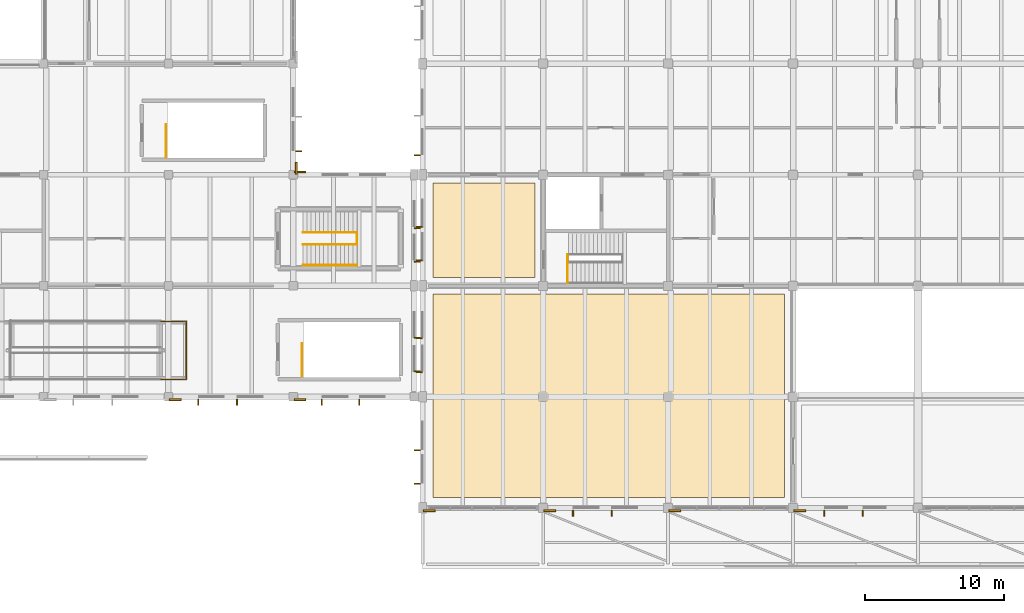
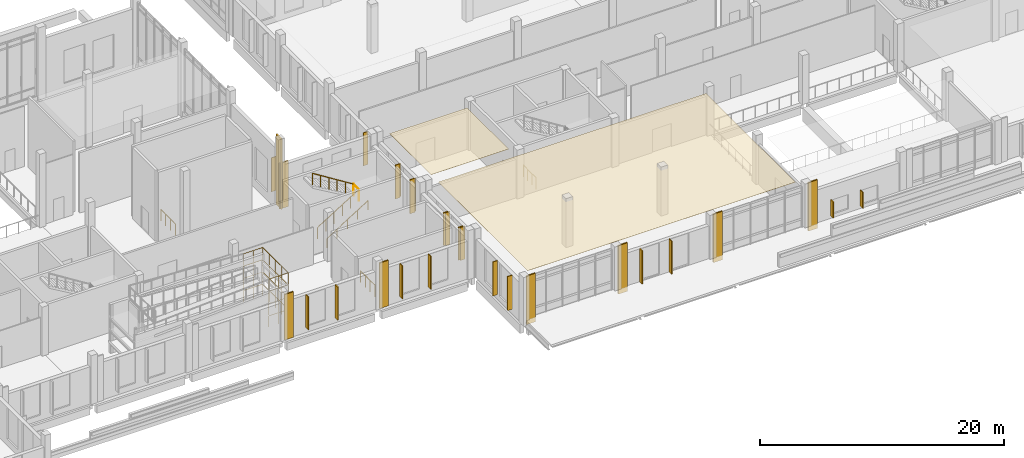
# One storey, part 102 of 110: 20 shading devices, 11 railings, 10 coverings.
"""IFC4 building model written with IfcOpenShell, lengths in metres."""

from ifc_helpers import new_model, si_unit, direction, frame, origin, origin_2d, place, context, subcontext, project, spatial, polyline, rectangle, circle, outline, extrude, material, layer, layer_set, type_object, element, save


model = new_model("IFC4")

# Units and contexts
model_context = context("Model", 3, precision=1e-05, world=origin(), true_north=direction((0.0, 1.0)))
body_context = subcontext(model_context, "Body", "Model", "MODEL_VIEW")
ifc_project = project(units=[si_unit("LENGTHUNIT", "METRE"), si_unit("AREAUNIT", "SQUARE_METRE"), si_unit("VOLUMEUNIT", "CUBIC_METRE"), si_unit("PLANEANGLEUNIT", "RADIAN"), si_unit("MASSUNIT", "GRAM", prefix="KILO")], contexts=[model_context])

# Site, building, storey
site_placement = place(None, origin())
site = spatial("IfcSite", under=ifc_project, at=site_placement, CompositionType="ELEMENT")
building_placement = place(site_placement, origin())
building = spatial("IfcBuilding", under=site, at=building_placement, Name="Zacnel Wholesale Market", CompositionType="ELEMENT")
storey_placement = place(building_placement, frame((0.0, 0.0, 6.300048828125)))
storey = spatial("IfcBuildingStorey", under=building, at=storey_placement, Name="L02", CompositionType="ELEMENT", Elevation=6.300048828125)

# Coverings
ifc_material_1 = material(Name="Micro-perforated acoustic gypsum ceiling")
ifc_layer_1 = layer(ifc_material_1, 0.02001953125)
ifc_layer_set_1 = layer_set([ifc_layer_1], Name="Micro-perforated acoustic gypsum ceiling")
covering_type_1 = type_object("IfcCoveringType", Name="COV-CEIL-AC-20", PredefinedType="CEILING", material=ifc_layer_set_1)
covering_1_placement = place(storey_placement, frame((0.0, 0.0, 4.5400390625)))
element("IfcCovering", 1, at=covering_1_placement, inside=storey, type_object=covering_type_1, Name="Acoustic ceiling L02-502", PredefinedType="CEILING", context=body_context, shape_type="SweptSolid", body=[
    extrude(outline(polyline([(145.050048828125, 0.75), (170.39990234375, 0.75), (170.39990234375, 15.39990234375), (145.050048828125, 15.39990234375), (145.050048828125, 0.75)])), origin(), (0.0, 0.0, 1.0), 0.02001953125),
])
covering_2_placement = place(storey_placement, frame((0.0, 0.0, 4.5400390625)))
element("IfcCovering", 2, at=covering_2_placement, inside=storey, type_object=covering_type_1, Name="Acoustic ceiling L02-506", PredefinedType="CEILING", context=body_context, shape_type="SweptSolid", body=[
    extrude(outline(polyline([(145.050048828125, 16.60009765625), (152.39990234375, 16.60009765625), (152.39990234375, 23.39990234375), (145.050048828125, 23.39990234375), (145.050048828125, 16.60009765625)])), origin(), (0.0, 0.0, 1.0), 0.02001953125),
])
ifc_material_2 = material(Name="Honed Yucatan Maya cream limestone", Category="masonry")
ifc_layer_2 = layer(ifc_material_2, 0.090087890625)
ifc_layer_set_2 = layer_set([ifc_layer_2], Name="Honed Yucatan Maya cream limestone")
covering_type_2 = type_object("IfcCoveringType", Name="COV-CLAD-FRET", PredefinedType="CLADDING", material=ifc_layer_set_2)
for number, where, z_axis, x_axis, name in (
    (3, (126.47998046875, 7.7900390625, 0.02001953125), (0.0, 0.0, 1.0), (1.0, 0.0, 0.0), "Fluted Mayan-Deco limestone pilaster L02-0117"),
    (4, (135.47998046875, 7.7900390625, 0.02001953125), (0.0, 0.0, 1.0), (1.0, 0.0, 0.0), "Fluted Mayan-Deco limestone pilaster L02-0118"),
    (5, (135.47998046875, 24.2099609375, 0.02001953125), (0.0, 0.0, 1.0), (1.0, 0.0, 0.0), "Fluted Mayan-Deco limestone pilaster L02-0119"),
):
    element("IfcCovering", number, at=place(storey_placement, frame(where, z_axis=z_axis, x_axis=x_axis)), inside=storey, type_object=covering_type_2, Name=name, PredefinedType="CLADDING", context=body_context, shape_type="SweptSolid", body=[
        extrude(rectangle(XDim=0.85009765625, YDim=0.1201171875, at=origin_2d()), origin(), (0.0, 0.0, 1.0), 4.56005859375),
    ])
covering_3_placement = place(storey_placement, frame((135.2099609375, 24.47998046875, 0.02001953125), z_axis=(0.0, 0.0, 1.0), x_axis=(0.0, 1.0, 0.0)))
element("IfcCovering", 6, at=covering_3_placement, inside=storey, type_object=covering_type_2, Name="Fluted Mayan-Deco limestone pilaster L02-0123", PredefinedType="CLADDING", context=body_context, shape_type="SweptSolid", body=[
    extrude(rectangle(XDim=0.85009765625, YDim=0.1201171875, at=origin_2d()), origin(), (0.0, 0.0, 1.0), 7.050048828125),
])
for number, where, z_axis, x_axis, name in (
    (7, (144.780029296875, -0.2099609375, 0.02001953125), (0.0, 0.0, 1.0), (1.0, 0.0, 0.0), "Fluted Mayan-Deco limestone pilaster L02-0126"),
    (8, (153.47998046875, -0.2099609375, 0.02001953125), (0.0, 0.0, 1.0), (1.0, 0.0, 0.0), "Fluted Mayan-Deco limestone pilaster L02-0127"),
    (9, (162.47998046875, -0.2099609375, 0.02001953125), (0.0, 0.0, 1.0), (1.0, 0.0, 0.0), "Fluted Mayan-Deco limestone pilaster L02-0128"),
    (10, (171.47998046875, -0.2099609375, 0.02001953125), (0.0, 0.0, 1.0), (1.0, 0.0, 0.0), "Fluted Mayan-Deco limestone pilaster L02-0129"),
):
    element("IfcCovering", number, at=place(storey_placement, frame(where, z_axis=z_axis, x_axis=x_axis)), inside=storey, type_object=covering_type_2, Name=name, PredefinedType="CLADDING", context=body_context, shape_type="SweptSolid", body=[
        extrude(rectangle(XDim=0.85009765625, YDim=0.1201171875, at=origin_2d()), origin(), (0.0, 0.0, 1.0), 4.860107421875),
    ])

# Railings
ifc_material_3 = material(Name="Galvanized steel", Category="steel")
railing_type_1 = type_object("IfcRailingType", Name="RAL-HANDRAIL-920", PredefinedType="HANDRAIL", material=ifc_material_3)
railing_1_placement = place(storey_placement, frame((135.679931640625, 17.47998046875, 0.0)))
element("IfcRailing", 11, at=railing_1_placement, inside=storey, type_object=railing_type_1, Name="Stair ST-25 wall handrail", PredefinedType="HANDRAIL", context=body_context, shape_type="SweptSolid", body=[
    extrude(circle(Radius=0.02099609375, at=origin_2d()), frame((0.0, 0.0, 0.89892578125), z_axis=(0.846790045661, 0.0, 0.53192726812), x_axis=(0.0, 1.0, 0.0)), (0.0, 0.0, 1.0), 4.605712890625),
    extrude(circle(Radius=0.01806640625, at=origin_2d()), origin(), (0.0, 0.0, 1.0), 0.8779296875),
    extrude(circle(Radius=0.01806640625, at=origin_2d()), frame((0.97509765625, 0.0, 0.612548828125)), (0.0, 0.0, 1.0), 0.8779296875),
    extrude(circle(Radius=0.01806640625, at=origin_2d()), frame((1.9501953125, 0.0, 1.22509765625)), (0.0, 0.0, 1.0), 0.8779296875),
    extrude(circle(Radius=0.01806640625, at=origin_2d()), frame((2.925048828125, 0.0, 1.83740234375)), (0.0, 0.0, 1.0), 0.8779296875),
    extrude(circle(Radius=0.01806640625, at=origin_2d()), frame((3.900146484375, 0.0, 2.449951171875)), (0.0, 0.0, 1.0), 0.8779296875),
])
ifc_material_4 = material(Name="Galvanized steel", Category="steel")
railing_type_2 = type_object("IfcRailingType", Name="RAL-STAIR-GD1150", PredefinedType="BALUSTRADE", material=ifc_material_4)
railing_2_placement = place(storey_placement, frame((154.75, 16.18994140625, 0.0)))
element("IfcRailing", 12, at=railing_2_placement, inside=storey, type_object=railing_type_2, Name="Stair balustrade INT-STAIR-ST-01-GDWELL-1", PredefinedType="BALUSTRADE", context=body_context, shape_type="SweptSolid", body=[
    extrude(circle(Radius=0.02392578125, at=origin_2d()), frame((0.0, 0.0, 1.1259765625), z_axis=(0.0, 1.0, 0.0), x_axis=(-1.0, 0.0, 0.0)), (0.0, 0.0, 1.0), 2.06005859375),
    extrude(circle(Radius=0.02099609375, at=origin_2d()), origin(), (0.0, 0.0, 1.0), 1.101806640625),
    extrude(circle(Radius=0.02099609375, at=origin_2d()), frame((0.0, 0.686767578125, 0.0)), (0.0, 0.0, 1.0), 1.101806640625),
    extrude(circle(Radius=0.02099609375, at=origin_2d()), frame((0.0, 1.373291015625, 0.0)), (0.0, 0.0, 1.0), 1.101806640625),
    extrude(circle(Radius=0.02099609375, at=origin_2d()), frame((0.0, 2.06005859375, 0.0)), (0.0, 0.0, 1.0), 1.101806640625),
])
railing_3_placement = place(storey_placement, frame((125.820068359375, 25.260009765625, 0.0)))
element("IfcRailing", 13, at=railing_3_placement, inside=storey, type_object=railing_type_2, Name="Stair balustrade INT-STAIR-ST-19-GDWELL-1", PredefinedType="BALUSTRADE", context=body_context, shape_type="SweptSolid", body=[
    extrude(circle(Radius=0.02392578125, at=origin_2d()), frame((0.0, 0.0, 1.1259765625), z_axis=(0.0, 1.0, 0.0), x_axis=(-1.0, 0.0, 0.0)), (0.0, 0.0, 1.0), 2.369873046875),
    extrude(circle(Radius=0.02099609375, at=origin_2d()), origin(), (0.0, 0.0, 1.0), 1.101806640625),
    extrude(circle(Radius=0.02099609375, at=origin_2d()), frame((0.0, 0.7900390625, 0.0)), (0.0, 0.0, 1.0), 1.101806640625),
    extrude(circle(Radius=0.02099609375, at=origin_2d()), frame((0.0, 1.579833984375, 0.0)), (0.0, 0.0, 1.0), 1.101806640625),
    extrude(circle(Radius=0.02099609375, at=origin_2d()), frame((0.0, 2.369873046875, 0.0)), (0.0, 0.0, 1.0), 1.101806640625),
])
railing_4_placement = place(storey_placement, frame((135.6201171875, 9.4599609375, 0.0)))
element("IfcRailing", 14, at=railing_4_placement, inside=storey, type_object=railing_type_2, Name="Stair balustrade INT-STAIR-ST-24-GDWELL-1", PredefinedType="BALUSTRADE", context=body_context, shape_type="SweptSolid", body=[
    extrude(circle(Radius=0.02392578125, at=origin_2d()), frame((0.0, 0.0, 1.1259765625), z_axis=(0.0, 1.0, 0.0), x_axis=(-1.0, 0.0, 0.0)), (0.0, 0.0, 1.0), 2.3701171875),
    extrude(circle(Radius=0.02099609375, at=origin_2d()), origin(), (0.0, 0.0, 1.0), 1.101806640625),
    extrude(circle(Radius=0.02099609375, at=origin_2d()), frame((0.0, 0.7900390625, 0.0)), (0.0, 0.0, 1.0), 1.101806640625),
    extrude(circle(Radius=0.02099609375, at=origin_2d()), frame((0.0, 1.580078125, 0.0)), (0.0, 0.0, 1.0), 1.101806640625),
    extrude(circle(Radius=0.02099609375, at=origin_2d()), frame((0.0, 2.3701171875, 0.0)), (0.0, 0.0, 1.0), 1.101806640625),
])
railing_5_placement = place(storey_placement, frame((135.679931640625, 18.969970703125, 0.0)))
element("IfcRailing", 15, at=railing_5_placement, inside=storey, type_object=railing_type_2, Name="Stair balustrade INT-STAIR-ST-25-GDIN-1", PredefinedType="BALUSTRADE", context=body_context, shape_type="SweptSolid", body=[
    extrude(circle(Radius=0.02392578125, at=origin_2d()), frame((0.0, 0.0, 1.1259765625), z_axis=(0.846790045661, 0.0, 0.53192726812), x_axis=(0.0, 1.0, 0.0)), (0.0, 0.0, 1.0), 4.605712890625),
    extrude(circle(Radius=0.02099609375, at=origin_2d()), origin(), (0.0, 0.0, 1.0), 1.101806640625),
    extrude(circle(Radius=0.02099609375, at=origin_2d()), frame((0.780029296875, 0.0, 0.489990234375)), (0.0, 0.0, 1.0), 1.101806640625),
    extrude(circle(Radius=0.02099609375, at=origin_2d()), frame((1.56005859375, 0.0, 0.97998046875)), (0.0, 0.0, 1.0), 1.101806640625),
    extrude(circle(Radius=0.02099609375, at=origin_2d()), frame((2.340087890625, 0.0, 1.469970703125)), (0.0, 0.0, 1.0), 1.101806640625),
    extrude(circle(Radius=0.02099609375, at=origin_2d()), frame((3.1201171875, 0.0, 1.9599609375)), (0.0, 0.0, 1.0), 1.101806640625),
    extrude(circle(Radius=0.02099609375, at=origin_2d()), frame((3.900146484375, 0.0, 2.449951171875)), (0.0, 0.0, 1.0), 1.101806640625),
])
railing_6_placement = place(storey_placement, frame((139.580078125, 18.969970703125, 2.449951171875)))
element("IfcRailing", 16, at=railing_6_placement, inside=storey, type_object=railing_type_2, Name="Stair balustrade INT-STAIR-ST-25-GDIN-2", PredefinedType="BALUSTRADE", context=body_context, shape_type="SweptSolid", body=[
    extrude(circle(Radius=0.02392578125, at=origin_2d()), frame((0.0, 0.0, 1.1259765625), z_axis=(0.0, 1.0, 0.0), x_axis=(-1.0, 0.0, 0.0)), (0.0, 0.0, 1.0), 0.860107421875),
    extrude(circle(Radius=0.02099609375, at=origin_2d()), origin(), (0.0, 0.0, 1.0), 1.101806640625),
    extrude(circle(Radius=0.02099609375, at=origin_2d()), frame((0.0, 0.860107421875, 0.0)), (0.0, 0.0, 1.0), 1.101806640625),
])
railing_7_placement = place(storey_placement, frame((139.580078125, 19.830078125, 2.449951171875)))
element("IfcRailing", 17, at=railing_7_placement, inside=storey, type_object=railing_type_2, Name="Stair balustrade INT-STAIR-ST-25-GDIN-3", PredefinedType="BALUSTRADE", context=body_context, shape_type="SweptSolid", body=[
    extrude(circle(Radius=0.02392578125, at=origin_2d()), frame((0.0, 0.0, 1.1259765625), z_axis=(-0.846790045661, 0.0, 0.53192726812), x_axis=(0.0, -1.0, 0.0)), (0.0, 0.0, 1.0), 4.605712890625),
    extrude(circle(Radius=0.02099609375, at=origin_2d()), origin(), (0.0, 0.0, 1.0), 1.101806640625),
    extrude(circle(Radius=0.02099609375, at=origin_2d()), frame((-0.780029296875, 0.0, 0.489990234375)), (0.0, 0.0, 1.0), 1.101806640625),
    extrude(circle(Radius=0.02099609375, at=origin_2d()), frame((-1.56005859375, 0.0, 0.97998046875)), (0.0, 0.0, 1.0), 1.101806640625),
    extrude(circle(Radius=0.02099609375, at=origin_2d()), frame((-2.340087890625, 0.0, 1.469970703125)), (0.0, 0.0, 1.0), 1.101806640625),
    extrude(circle(Radius=0.02099609375, at=origin_2d()), frame((-3.1201171875, 0.0, 1.9599609375)), (0.0, 0.0, 1.0), 1.101806640625),
    extrude(circle(Radius=0.02099609375, at=origin_2d()), frame((-3.900146484375, 0.0, 2.449951171875)), (0.0, 0.0, 1.0), 1.101806640625),
])
for number, where, name in (
    (18, (125.450927734375, 9.260009765625, 0.612548828125), "Accessible ramp RP-04 (RMP-PROM-2) landing balustrade 1"),
    (19, (125.450927734375, 9.260009765625, 1.83740234375), "Accessible ramp RP-04 (RMP-PROM-2) landing balustrade 3"),
    (20, (125.450927734375, 9.260009765625, 3.0625), "Accessible ramp RP-04 (RMP-PROM-2) landing balustrade 5"),
    (21, (125.450927734375, 9.260009765625, 4.287353515625), "Accessible ramp RP-04 (RMP-PROM-2) landing balustrade 7"),
):
    element("IfcRailing", number, at=place(storey_placement, frame(where)), inside=storey, type_object=railing_type_2, Name=name, PredefinedType="BALUSTRADE", context=body_context, shape_type="SweptSolid", body=[
        extrude(circle(Radius=0.0224609375, at=origin_2d()), frame((0.0, 0.0, 1.12744140625), z_axis=(1.0, 0.0, 0.0), x_axis=(0.0, 1.0, 0.0)), (0.0, 0.0, 1.0), 1.830078125),
        extrude(circle(Radius=0.0224609375, at=origin_2d()), frame((1.830078125, 0.0, 1.12744140625), z_axis=(0.0, 1.0, 0.0), x_axis=(-1.0, 0.0, 0.0)), (0.0, 0.0, 1.0), 4.179931640625),
        extrude(circle(Radius=0.0224609375, at=origin_2d()), frame((1.830078125, 4.179931640625, 1.12744140625), z_axis=(-1.0, 0.0, 0.0), x_axis=(0.0, -1.0, 0.0)), (0.0, 0.0, 1.0), 1.830078125),
        extrude(circle(Radius=0.02001953125, at=origin_2d()), origin(), (0.0, 0.0, 1.0), 1.10498046875),
        extrude(circle(Radius=0.02001953125, at=origin_2d()), frame((0.9150390625, 0.0, 0.0)), (0.0, 0.0, 1.0), 1.10498046875),
        extrude(circle(Radius=0.02001953125, at=origin_2d()), frame((1.830078125, 0.0, 0.0)), (0.0, 0.0, 1.0), 1.10498046875),
        extrude(circle(Radius=0.02001953125, at=origin_2d()), frame((1.830078125, 1.044921875, 0.0)), (0.0, 0.0, 1.0), 1.10498046875),
        extrude(circle(Radius=0.02001953125, at=origin_2d()), frame((1.830078125, 2.08984375, 0.0)), (0.0, 0.0, 1.0), 1.10498046875),
        extrude(circle(Radius=0.02001953125, at=origin_2d()), frame((1.830078125, 3.135009765625, 0.0)), (0.0, 0.0, 1.0), 1.10498046875),
        extrude(circle(Radius=0.02001953125, at=origin_2d()), frame((1.830078125, 4.179931640625, 0.0)), (0.0, 0.0, 1.0), 1.10498046875),
        extrude(circle(Radius=0.02001953125, at=origin_2d()), frame((0.9150390625, 4.179931640625, 0.0)), (0.0, 0.0, 1.0), 1.10498046875),
        extrude(circle(Radius=0.02001953125, at=origin_2d()), frame((0.0, 4.179931640625, 0.0)), (0.0, 0.0, 1.0), 1.10498046875),
    ])

# Shading devices
ifc_material_5 = material(Name="Honed Yucatan Maya cream limestone", Category="masonry")
shading_device_type = type_object("IfcShadingDeviceType", Name="SHD-FIN-V450", PredefinedType="USERDEFINED", material=ifc_material_5)
for number, where, z_axis, x_axis, name in (
    (22, (128.139892578125, 7.6201171875, 0.51513671875), (0.0, 0.0, 1.0), (1.0, 0.0, 0.0), "Limestone sunshade fin 0141"),
    (23, (130.93994140625, 7.6201171875, 0.51513671875), (0.0, 0.0, 1.0), (1.0, 0.0, 0.0), "Limestone sunshade fin 0142"),
    (24, (137.0400390625, 7.6201171875, 0.51513671875), (0.0, 0.0, 1.0), (1.0, 0.0, 0.0), "Limestone sunshade fin 0143"),
    (25, (139.739990234375, 7.6201171875, 0.51513671875), (0.0, 0.0, 1.0), (1.0, 0.0, 0.0), "Limestone sunshade fin 0144"),
    (26, (144.080078125, 9.781982421875, 0.53515625), (0.0, 0.0, 1.0), (0.0, 1.0, 0.0), "Limestone sunshade fin 0145"),
    (27, (144.080078125, 12.222900390625, 0.53515625), (0.0, 0.0, 1.0), (0.0, 1.0, 0.0), "Limestone sunshade fin 0146"),
    (28, (144.080078125, 17.83203125, 0.46484375), (0.0, 0.0, 1.0), (0.0, 1.0, 0.0), "Limestone sunshade fin 0147"),
    (29, (144.080078125, 20.248046875, 0.46484375), (0.0, 0.0, 1.0), (0.0, 1.0, 0.0), "Limestone sunshade fin 0148"),
):
    element("IfcShadingDevice", number, at=place(storey_placement, frame(where, z_axis=z_axis, x_axis=x_axis)), inside=storey, type_object=shading_device_type, Name=name, ObjectType="SUNSHADE", PredefinedType="USERDEFINED", context=body_context, shape_type="SweptSolid", body=[
        extrude(rectangle(XDim=0.080078125, YDim=0.43994140625, at=origin_2d()), origin(), (0.0, 0.0, 1.0), 3.300048828125),
    ])
shading_device_1_placement = place(storey_placement, frame((135.3798828125, 25.70703125, 0.800048828125), z_axis=(0.0, 0.0, 1.0), x_axis=(0.0, 1.0, 0.0)))
element("IfcShadingDevice", 30, at=shading_device_1_placement, inside=storey, type_object=shading_device_type, Name="Limestone sunshade fin 0153", ObjectType="SUNSHADE", PredefinedType="USERDEFINED", context=body_context, shape_type="SweptSolid", body=[
    extrude(rectangle(XDim=0.080078125, YDim=0.43994140625, at=origin_2d()), origin(), (0.0, 0.0, 1.0), 3.39990234375),
])
for number, where, z_axis, x_axis, name in (
    (31, (155.14794921875, -0.3798828125, 0.51513671875), (0.0, 0.0, 1.0), (1.0, 0.0, 0.0), "Limestone sunshade fin 0155"),
    (32, (157.931884765625, -0.3798828125, 0.51513671875), (0.0, 0.0, 1.0), (1.0, 0.0, 0.0), "Limestone sunshade fin 0156"),
):
    element("IfcShadingDevice", number, at=place(storey_placement, frame(where, z_axis=z_axis, x_axis=x_axis)), inside=storey, type_object=shading_device_type, Name=name, ObjectType="SUNSHADE", PredefinedType="USERDEFINED", context=body_context, shape_type="SweptSolid", body=[
        extrude(rectangle(XDim=0.080078125, YDim=0.43994140625, at=origin_2d()), origin(), (0.0, 0.0, 1.0), 3.300048828125),
    ])
for number, where, z_axis, x_axis, name in (
    (33, (173.248046875, -0.3798828125, 0.77490234375), (0.0, 0.0, 1.0), (1.0, 0.0, 0.0), "Limestone sunshade fin 0157"),
    (34, (176.031982421875, -0.3798828125, 0.77490234375), (0.0, 0.0, 1.0), (1.0, 0.0, 0.0), "Limestone sunshade fin 0158"),
):
    element("IfcShadingDevice", number, at=place(storey_placement, frame(where, z_axis=z_axis, x_axis=x_axis)), inside=storey, type_object=shading_device_type, Name=name, ObjectType="SUNSHADE", PredefinedType="USERDEFINED", context=body_context, shape_type="SweptSolid", body=[
        extrude(rectangle(XDim=0.080078125, YDim=0.43994140625, at=origin_2d()), origin(), (0.0, 0.0, 1.0), 1.60009765625),
    ])
for number, where, z_axis, x_axis, name in (
    (35, (143.919921875, 1.73193359375, 0.4599609375), (0.0, 0.0, 1.0), (0.0, 1.0, 0.0), "Limestone sunshade fin 0163"),
    (36, (143.919921875, 4.14794921875, 0.4599609375), (0.0, 0.0, 1.0), (0.0, 1.0, 0.0), "Limestone sunshade fin 0164"),
):
    element("IfcShadingDevice", number, at=place(storey_placement, frame(where, z_axis=z_axis, x_axis=x_axis)), inside=storey, type_object=shading_device_type, Name=name, ObjectType="SUNSHADE", PredefinedType="USERDEFINED", context=body_context, shape_type="SweptSolid", body=[
        extrude(rectangle(XDim=0.080078125, YDim=0.43994140625, at=origin_2d()), origin(), (0.0, 0.0, 1.0), 3.39990234375),
    ])
for number, where, z_axis, x_axis, name in (
    (37, (143.919921875, 9.83203125, 0.5849609375), (0.0, 0.0, 1.0), (0.0, 1.0, 0.0), "Limestone sunshade fin 0165"),
    (38, (143.919921875, 12.248046875, 0.5849609375), (0.0, 0.0, 1.0), (0.0, 1.0, 0.0), "Limestone sunshade fin 0166"),
):
    element("IfcShadingDevice", number, at=place(storey_placement, frame(where, z_axis=z_axis, x_axis=x_axis)), inside=storey, type_object=shading_device_type, Name=name, ObjectType="SUNSHADE", PredefinedType="USERDEFINED", context=body_context, shape_type="SweptSolid", body=[
        extrude(rectangle(XDim=0.080078125, YDim=0.43994140625, at=origin_2d()), origin(), (0.0, 0.0, 1.0), 3.300048828125),
    ])
for number, where, z_axis, x_axis, name in (
    (39, (143.919921875, 17.73193359375, 0.4599609375), (0.0, 0.0, 1.0), (0.0, 1.0, 0.0), "Limestone sunshade fin 0167"),
    (40, (143.919921875, 20.14794921875, 0.4599609375), (0.0, 0.0, 1.0), (0.0, 1.0, 0.0), "Limestone sunshade fin 0168"),
):
    element("IfcShadingDevice", number, at=place(storey_placement, frame(where, z_axis=z_axis, x_axis=x_axis)), inside=storey, type_object=shading_device_type, Name=name, ObjectType="SUNSHADE", PredefinedType="USERDEFINED", context=body_context, shape_type="SweptSolid", body=[
        extrude(rectangle(XDim=0.080078125, YDim=0.43994140625, at=origin_2d()), origin(), (0.0, 0.0, 1.0), 3.39990234375),
    ])
shading_device_2_placement = place(storey_placement, frame((143.919921875, 25.4189453125, 0.5849609375), z_axis=(0.0, 0.0, 1.0), x_axis=(0.0, 1.0, 0.0)))
element("IfcShadingDevice", 41, at=shading_device_2_placement, inside=storey, type_object=shading_device_type, Name="Limestone sunshade fin 0169", ObjectType="SUNSHADE", PredefinedType="USERDEFINED", context=body_context, shape_type="SweptSolid", body=[
    extrude(rectangle(XDim=0.080078125, YDim=0.43994140625, at=origin_2d()), origin(), (0.0, 0.0, 1.0), 3.300048828125),
])

save(model, "model.ifc")
